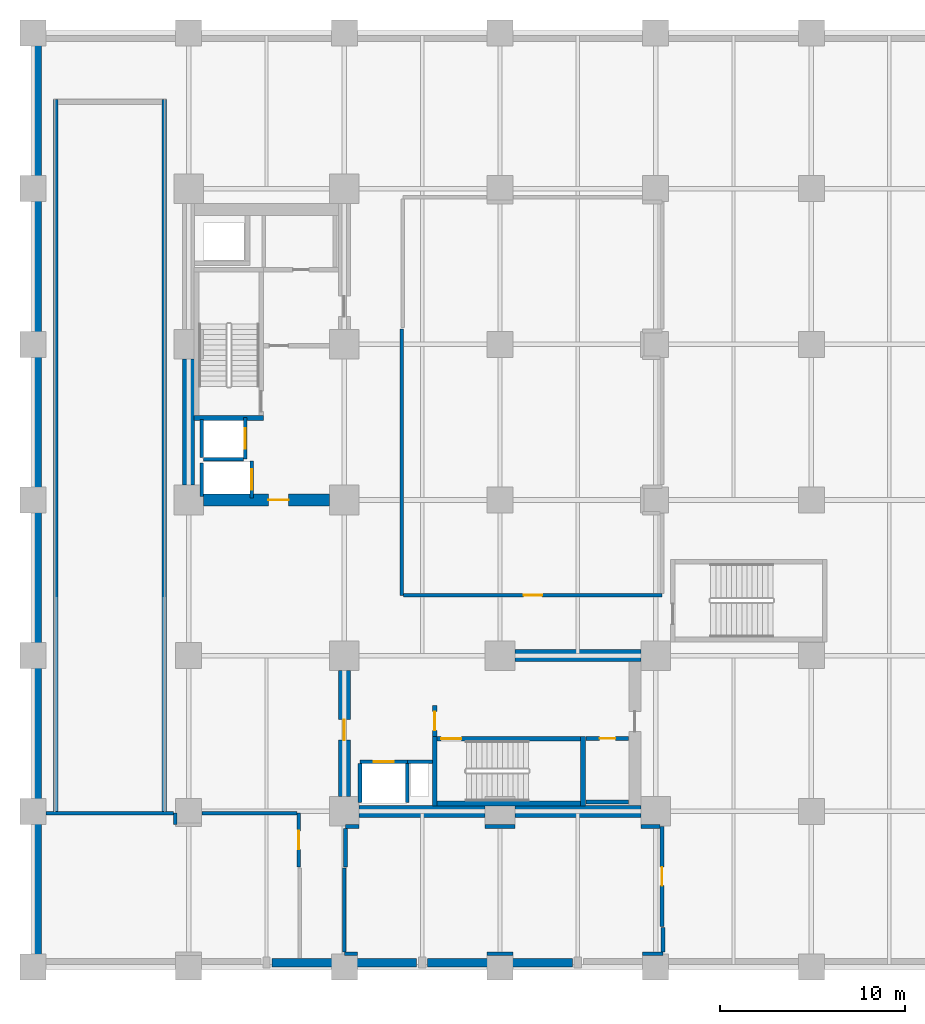
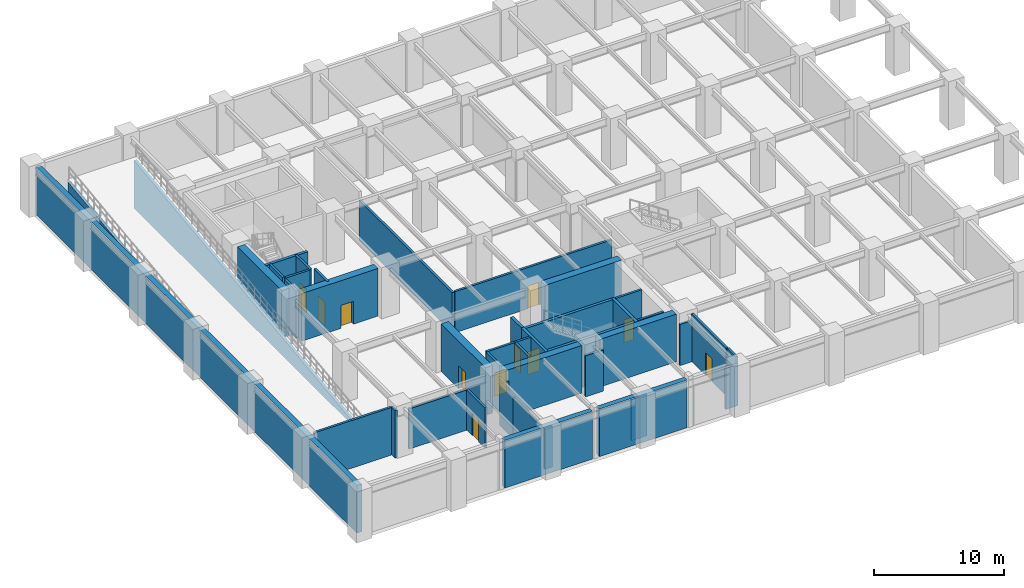
# One storey, part 3 of 7: 44 walls, 11 doors, 11 openings.
"""IFC4 building model written with IfcOpenShell, lengths in metres."""

import ifcopenshell
import ifcopenshell.guid

model = None  # the IFC model being written
_history = None  # IfcOwnerHistory: only IFC2X3 demands one
_inside = {}  # id of a spatial element -> (the spatial element, [elements in it])
_under = {}  # id of a project, library or spatial element -> (it, [spatial elements below it])
_declared = {}  # id of a project -> (the project, [libraries it declares])
_typed = {}  # id of a type object -> (the type object, [elements of that type])
_made_of = {}  # id of a material, layer set ... -> (it, [elements and type objects made of it])


def new_model(schema):
    """Start an empty IFC model of exactly this schema.

    Asked for "IFC4X3", IfcOpenShell would pick the latest addendum, in which some entities
    have other attributes; the version numbers below select the first issue.
    IFC2X3 requires an IfcOwnerHistory on every rooted entity: one is made here for all.
    """
    global model, _history
    if schema == "IFC4X3":
        model = ifcopenshell.file(schema_version=(4, 3, 0, 0))
    else:
        model = ifcopenshell.file(schema=schema)
    _inside.clear()
    _under.clear()
    _declared.clear()
    _typed.clear()
    _made_of.clear()
    _history = None
    if model.schema == "IFC2X3":
        org = make("IfcOrganization", Name="unknown")
        user = make(
            "IfcPersonAndOrganization",
            ThePerson=make("IfcPerson", FamilyName="unknown"),
            TheOrganization=org,
        )
        app = make(
            "IfcApplication",
            ApplicationDeveloper=org,
            Version="unknown",
            ApplicationFullName="unknown",
            ApplicationIdentifier="unknown",
        )
        _history = make(
            "IfcOwnerHistory",
            OwningUser=user,
            OwningApplication=app,
            ChangeAction="ADDED",
            CreationDate=0,
        )
    return model


def make(cls, **values):
    """One entity of the class cls with the attributes given. An attribute that is None is left unset."""
    return model.create_entity(
        cls, **{name: value for name, value in values.items() if value is not None}
    )


def rooted(cls, **values):
    """An entity with a GlobalId (a new one), such as an element, a storey or a relation."""
    return make(cls, GlobalId=ifcopenshell.guid.new(), OwnerHistory=_history, **values)


def si_unit(unit_type, name, prefix=None):
    """IfcSIUnit, for example si_unit("LENGTHUNIT", "METRE", prefix="MILLI")."""
    return make("IfcSIUnit", UnitType=unit_type, Prefix=prefix, Name=name)


def assignment(units):
    """IfcUnitAssignment: the units of a project."""
    return None if units is None else make("IfcUnitAssignment", Units=units)


def point(xyz):
    """IfcCartesianPoint."""
    return None if xyz is None else make("IfcCartesianPoint", Coordinates=xyz)


def direction(xyz):
    """IfcDirection."""
    return None if xyz is None else make("IfcDirection", DirectionRatios=xyz)


def frame(location, z_axis=None, x_axis=None):
    """IfcAxis2Placement3D, a coordinate frame: its origin and axes. An axis left out is left unset."""
    return make(
        "IfcAxis2Placement3D",
        Location=point(location),
        Axis=direction(z_axis),
        RefDirection=direction(x_axis),
    )


def frame_2d(location, x_axis=None):
    """IfcAxis2Placement2D, a coordinate frame in the plane: its origin and x axis."""
    return make(
        "IfcAxis2Placement2D", Location=point(location), RefDirection=direction(x_axis)
    )


def origin():
    """The frame at (0, 0, 0) with its axes left unset."""
    return frame((0.0, 0.0, 0.0))


def place(relative_to, where):
    """IfcLocalPlacement: puts the frame where relative to a parent placement (None: the world)."""
    return make(
        "IfcLocalPlacement", PlacementRelTo=relative_to, RelativePlacement=where
    )


def context(
    kind, dimensions, precision=None, world=None, true_north=None, identifier=None
):
    """IfcGeometricRepresentationContext, for example the 3D "Model" context."""
    return make(
        "IfcGeometricRepresentationContext",
        ContextIdentifier=identifier,
        ContextType=kind,
        CoordinateSpaceDimension=dimensions,
        Precision=precision,
        WorldCoordinateSystem=world,
        TrueNorth=true_north,
    )


def subcontext(parent, identifier, kind, view, scale=None):
    """IfcGeometricRepresentationSubContext, for example "Body" below "Model"."""
    return make(
        "IfcGeometricRepresentationSubContext",
        ContextIdentifier=identifier,
        ContextType=kind,
        ParentContext=parent,
        TargetScale=scale,
        TargetView=view,
    )


def project(units=None, contexts=None):
    """IfcProject with its units and contexts."""
    return rooted(
        "IfcProject",
        Name="project",
        RepresentationContexts=contexts,
        UnitsInContext=assignment(units),
    )


def spatial(cls, under=None, at=None, **own):
    """A site, building, storey or space (cls), placed at a placement, below another one or the project."""
    s = rooted(cls, ObjectPlacement=at, **own)
    if under is not None:
        _under.setdefault(under.id(), (under, []))[1].append(s)
    return s


def polyline(points):
    """IfcPolyline through the points."""
    return make("IfcPolyline", Points=[point(p) for p in points])


def profile(cls, at=None, kind="AREA", **sizes):
    """A parametric profile (cls). Its sizes go by their IFC names, for example OverallWidth=200.0."""
    return make(cls, ProfileType=kind, Position=at, **sizes)


def rectangle(**sizes):
    """IfcRectangleProfileDef."""
    return profile("IfcRectangleProfileDef", **sizes)


def outline(outer, holes=None, kind="AREA"):
    """IfcArbitraryClosedProfileDef: a profile drawn as a closed curve; with holes, ...WithVoids."""
    if holes is None:
        return make("IfcArbitraryClosedProfileDef", ProfileType=kind, OuterCurve=outer)
    return make(
        "IfcArbitraryProfileDefWithVoids",
        ProfileType=kind,
        OuterCurve=outer,
        InnerCurves=holes,
    )


def extrude(swept, where, along, depth):
    """IfcExtrudedAreaSolid: the profile swept, set in the frame where, extruded along a direction by depth."""
    return make(
        "IfcExtrudedAreaSolid",
        SweptArea=swept,
        Position=where,
        ExtrudedDirection=direction(along),
        Depth=depth,
    )


def shape(context_of_items, identifier, shape_type, items):
    """IfcShapeRepresentation: the items that make up one representation, for example the "Body"."""
    return make(
        "IfcShapeRepresentation",
        ContextOfItems=context_of_items,
        RepresentationIdentifier=identifier,
        RepresentationType=shape_type,
        Items=items,
    )


def material(Name=None, Category=None):
    """IfcMaterial."""
    return make("IfcMaterial", Name=Name, Category=Category)


def layer(
    of_material, thickness, ventilated=None, Name=None, Category=None, Priority=None
):
    """IfcMaterialLayer: one layer of a wall or slab, of a material (None: an air gap)."""
    return make(
        "IfcMaterialLayer",
        Material=of_material,
        LayerThickness=thickness,
        IsVentilated=ventilated,
        Name=Name,
        Category=Category,
        Priority=Priority,
    )


def layer_set(layers, Name=None):
    """IfcMaterialLayerSet."""
    return make("IfcMaterialLayerSet", MaterialLayers=layers, LayerSetName=Name)


def made_of(thing, what):
    """Note that an element or type object is made of a material, layer set ...; save() writes the relation."""
    if what is not None:
        _made_of.setdefault(what.id(), (what, []))[1].append(thing)
    return thing


def type_object(cls, material=None, **own):
    """A type object (cls), such as IfcWallType, which elements share."""
    return made_of(rooted(cls, **own), material)


def element(
    cls,
    number,
    at=None,
    inside=None,
    cuts=None,
    type_object=None,
    material=None,
    context=None,
    identifier="Body",
    shape_type=None,
    held_by="IfcProductDefinitionShape",
    body=None,
    shapes=None,
    **own,
):
    """One element of the class cls, such as IfcWall. Its Tag is "e" and its number.

    at: its placement. inside: the storey or other place that contains it. cuts: it is an
    opening in that element (IfcRelVoidsElement). A single representation is given by context,
    identifier, shape_type and body (its items); several are given by shapes. held_by: the class
    of the entity that holds the representations. save() writes the other relations.
    """
    e = rooted(cls, Tag="e%d" % number, ObjectPlacement=at, **own)
    if body is not None:
        shapes = [shape(context, identifier, shape_type, body)]
    if shapes is not None:
        e.Representation = make(held_by, Representations=shapes)
    if inside is not None:
        _inside.setdefault(inside.id(), (inside, []))[1].append(e)
    if cuts is not None:
        rooted(
            "IfcRelVoidsElement", RelatingBuildingElement=cuts, RelatedOpeningElement=e
        )
    if type_object is not None:
        _typed.setdefault(type_object.id(), (type_object, []))[1].append(e)
    return made_of(e, material)


def fill(opening, filler):
    """IfcRelFillsElement: the door or window that sits in an opening."""
    return rooted(
        "IfcRelFillsElement",
        RelatingOpeningElement=opening,
        RelatedBuildingElement=filler,
    )


def aggregate(whole, parts):
    """IfcRelAggregates: a whole, such as a stair, and the parts it consists of."""
    return rooted("IfcRelAggregates", RelatingObject=whole, RelatedObjects=parts)


def save(model, path):
    """Write the relations noted so far, then the file.

    IfcRelAggregates (storeys below a building ...), IfcRelContainedInSpatialStructure (elements
    in a storey), IfcRelDefinesByType, IfcRelAssociatesMaterial and IfcRelDeclares: one each for
    every whole, place, type object, material and project.
    """
    for whole, parts in _under.values():
        aggregate(whole, parts)
    for where, things in _inside.values():
        rooted(
            "IfcRelContainedInSpatialStructure",
            RelatedElements=things,
            RelatingStructure=where,
        )
    for kind, things in _typed.values():
        rooted("IfcRelDefinesByType", RelatedObjects=things, RelatingType=kind)
    for what, things in _made_of.values():
        rooted("IfcRelAssociatesMaterial", RelatedObjects=things, RelatingMaterial=what)
    for by, libraries in _declared.values():
        rooted("IfcRelDeclares", RelatingContext=by, RelatedDefinitions=libraries)
    model.write(path)


model = new_model("IFC4")

# Units and contexts
model_context = context("Model", 3, precision=1e-05, world=origin(), true_north=direction((0.0, 1.0)))
body_context = subcontext(model_context, "Body", "Model", "MODEL_VIEW")
ifc_project = project(units=[si_unit("LENGTHUNIT", "METRE"), si_unit("AREAUNIT", "SQUARE_METRE"), si_unit("VOLUMEUNIT", "CUBIC_METRE"), si_unit("PLANEANGLEUNIT", "RADIAN"), si_unit("MASSUNIT", "GRAM", prefix="KILO")], contexts=[model_context])

# Site, building, storey
site_placement = place(None, origin())
site = spatial("IfcSite", under=ifc_project, at=site_placement, CompositionType="ELEMENT")
building_placement = place(site_placement, origin())
building = spatial("IfcBuilding", under=site, at=building_placement, Name="Nerrivon Quay Data Exchange", CompositionType="ELEMENT")
storey_placement = place(building_placement, frame((0.0, 0.0, -4.800048828125)))
storey = spatial("IfcBuildingStorey", under=building, at=storey_placement, Name="B01", CompositionType="ELEMENT", Elevation=-4.800048828125)

# Wall
ifc_material_1 = material(Name="Concrete N80 (80 MPa)", Category="concrete")
ifc_layer_1 = layer(ifc_material_1, 0.64990234375)
ifc_layer_set_1 = layer_set([ifc_layer_1], Name="Concrete N80 (80 MPa)")
wall_type_1 = type_object("IfcWallType", Name="WALL-CW-850", PredefinedType="SHEAR", material=ifc_layer_set_1)
wall_1_placement = place(storey_placement, frame((8.39990234375, 26.0, 0.0), z_axis=(0.0, 0.0, 1.0), x_axis=(0.0, 1.0, 0.0)))
element("IfcWall", 1, at=wall_1_placement, inside=storey, type_object=wall_type_1, Name="B01 West Split-Core Shear Wall WCW-W1", PredefinedType="SHEAR", context=body_context, shape_type="SweptSolid", body=[
    extrude(rectangle(XDim=6.800048828125, YDim=0.64990234375, at=frame_2d((3.39990234375, 0.0))), origin(), (0.0, 0.0, 1.0), 4.47998046875),
])

# Wall, opening, door
wall_2_placement = place(storey_placement, frame((9.199951171875, 25.199951171875, 0.0), z_axis=(0.0, 0.0, 1.0), x_axis=(1.0, 0.0, 0.0)))
wall_2 = element("IfcWall", 2, at=wall_2_placement, inside=storey, type_object=wall_type_1, Name="B01 West Split-Core Shear Wall WCW-S1", PredefinedType="SHEAR", context=body_context, shape_type="SweptSolid", body=[
    extrude(rectangle(XDim=6.800048828125, YDim=0.64990234375, at=frame_2d((3.39990234375, 0.0))), origin(), (0.0, 0.0, 1.0), 4.47998046875),
])
opening_1_placement = place(wall_2_placement, frame((3.5, 0.0, 0.0)))
opening_1 = element("IfcOpeningElement", 3, at=opening_1_placement, cuts=wall_2, Name="Opening FD-120", PredefinedType="OPENING", context=body_context, shape_type="SweptSolid", body=[
    extrude(rectangle(XDim=1.10009765625, YDim=2.14990234375, at=frame_2d((0.550048828125, 1.074951171875))), frame((0.0, 0.3349609375, 0.0), z_axis=(0.0, -1.0, 0.0), x_axis=(1.0, 0.0, 0.0)), (0.0, 0.0, 1.0), 0.669921875),
])
ifc_material_2 = material(Name="Powder-coated galvanized steel sheet", Category="steel")
door_type_1 = type_object("IfcDoorType", Name="DR-FD120-1100", OperationType="NOTDEFINED", PredefinedType="DOOR", material=ifc_material_2)
door_1_placement = place(opening_1_placement, origin())
door_1 = element("IfcDoor", 4, at=door_1_placement, inside=storey, type_object=door_type_1, Name="B01 West Core Lobby Fire Door", OperationType="SINGLE_SWING_RIGHT", OverallHeight=2.14990234375, OverallWidth=1.10009765625, PredefinedType="DOOR", context=body_context, shape_type="SweptSolid", body=[
    extrude(rectangle(XDim=1.10009765625, YDim=2.14990234375, at=frame_2d((0.550048828125, 1.074951171875))), frame((0.0, 0.02490234375, 0.0), z_axis=(0.0, -1.0, 0.0), x_axis=(1.0, 0.0, 0.0)), (0.0, 0.0, 1.0), 0.050048828125),
])
fill(opening_1, door_1)

# Walls
wall_3_placement = place(storey_placement, frame((17.60009765625, 8.39990234375, 0.0), z_axis=(0.0, 0.0, 1.0), x_axis=(1.0, 0.0, 0.0)))
element("IfcWall", 5, at=wall_3_placement, inside=storey, type_object=wall_type_1, Name="B01 East Split-Core Shear Wall ECW-S1", PredefinedType="SHEAR", context=body_context, shape_type="SweptSolid", body=[
    extrude(rectangle(XDim=6.7998046875, YDim=0.64990234375, at=frame_2d((3.39990234375, 0.0))), origin(), (0.0, 0.0, 1.0), 4.47998046875),
])
wall_4_placement = place(storey_placement, frame((26.0, 8.39990234375, 0.0), z_axis=(0.0, 0.0, 1.0), x_axis=(1.0, 0.0, 0.0)))
element("IfcWall", 6, at=wall_4_placement, inside=storey, type_object=wall_type_1, Name="B01 East Split-Core Shear Wall ECW-S2", PredefinedType="SHEAR", context=body_context, shape_type="SweptSolid", body=[
    extrude(rectangle(XDim=6.800048828125, YDim=0.64990234375, at=frame_2d((3.39990234375, 0.0))), origin(), (0.0, 0.0, 1.0), 4.47998046875),
])

# Wall, opening, door
wall_5_placement = place(storey_placement, frame((16.800048828125, 9.199951171875, 0.0), z_axis=(0.0, 0.0, 1.0), x_axis=(0.0, 1.0, 0.0)))
wall_5 = element("IfcWall", 7, at=wall_5_placement, inside=storey, type_object=wall_type_1, Name="B01 East Split-Core Shear Wall ECW-W1", PredefinedType="SHEAR", context=body_context, shape_type="SweptSolid", body=[
    extrude(rectangle(XDim=6.800048828125, YDim=0.64990234375, at=frame_2d((3.39990234375, 0.0))), origin(), (0.0, 0.0, 1.0), 4.47998046875),
])
opening_2_placement = place(wall_5_placement, frame((3.050048828125, 0.0, 0.0)))
opening_2 = element("IfcOpeningElement", 8, at=opening_2_placement, cuts=wall_5, Name="Opening FD-120", PredefinedType="OPENING", context=body_context, shape_type="SweptSolid", body=[
    extrude(rectangle(XDim=1.10009765625, YDim=2.14990234375, at=frame_2d((0.550048828125, 1.074951171875))), frame((0.0, 0.3349609375, 0.0), z_axis=(0.0, -1.0, 0.0), x_axis=(1.0, 0.0, 0.0)), (0.0, 0.0, 1.0), 0.669921875),
])
door_2_placement = place(opening_2_placement, origin())
door_2 = element("IfcDoor", 9, at=door_2_placement, inside=storey, type_object=door_type_1, Name="B01 East Core Lobby Fire Door", OperationType="SINGLE_SWING_RIGHT", OverallHeight=2.14990234375, OverallWidth=1.10009765625, PredefinedType="DOOR", context=body_context, shape_type="SweptSolid", body=[
    extrude(rectangle(XDim=1.10009765625, YDim=2.14990234375, at=frame_2d((0.550048828125, 1.074951171875))), frame((0.0, 0.02490234375, 0.0), z_axis=(0.0, -1.0, 0.0), x_axis=(1.0, 0.0, 0.0)), (0.0, 0.0, 1.0), 0.050048828125),
])
fill(opening_2, door_2)

# Walls
wall_6_placement = place(storey_placement, frame((26.0, 16.800048828125, 0.0), z_axis=(0.0, 0.0, 1.0), x_axis=(1.0, 0.0, 0.0)))
element("IfcWall", 10, at=wall_6_placement, inside=storey, type_object=wall_type_1, Name="B01 East Split-Core Shear Wall ECW-N1", PredefinedType="SHEAR", context=body_context, shape_type="SweptSolid", body=[
    extrude(rectangle(XDim=6.800048828125, YDim=0.64990234375, at=frame_2d((3.39990234375, 0.0))), origin(), (0.0, 0.0, 1.0), 4.47998046875),
])
ifc_material_3 = material(Name="Gypsum plasterboard on cold-formed framing", Category="gypsum")
ifc_layer_2 = layer(ifc_material_3, 0.199951171875)
ifc_layer_set_2 = layer_set([ifc_layer_2], Name="Gypsum plasterboard on cold-formed framing")
wall_type_2 = type_object("IfcWallType", Name="WALL-FW-200", PredefinedType="PARTITIONING", material=ifc_layer_set_2)
wall_7_placement = place(storey_placement, frame((20.199951171875, 11.080078125, 0.0), z_axis=(0.0, 0.0, 1.0), x_axis=(1.0, 0.0, 0.0)))
element("IfcWall", 11, at=wall_7_placement, inside=storey, type_object=wall_type_2, Name="B01 East Core MEP Riser Shaft Wall N", PredefinedType="PARTITIONING", context=body_context, shape_type="SweptSolid", body=[
    extrude(rectangle(XDim=1.35009765625, YDim=0.199951171875, at=frame_2d((0.675048828125, 0.0))), origin(), (0.0, 0.0, 1.0), 4.47998046875),
])

# Wall, opening, door
wall_8_placement = place(storey_placement, frame((11.449951171875, 27.39990234375, 0.0), z_axis=(0.0, 0.0, 1.0), x_axis=(0.0, 1.0, 0.0)))
wall_8 = element("IfcWall", 12, at=wall_8_placement, inside=storey, type_object=wall_type_2, Name="B01 Lift Front Wall FFL-1", PredefinedType="PARTITIONING", context=body_context, shape_type="SweptSolid", body=[
    extrude(rectangle(XDim=2.25, YDim=0.199951171875, at=frame_2d((1.125, 0.0))), origin(), (0.0, 0.0, 1.0), 4.47998046875),
])
opening_3_placement = place(wall_8_placement, frame((0.574951171875, 0.0, 0.0)))
opening_3 = element("IfcOpeningElement", 13, at=opening_3_placement, cuts=wall_8, Name="Opening LD-120", PredefinedType="OPENING", context=body_context, shape_type="SweptSolid", body=[
    extrude(rectangle(XDim=1.10009765625, YDim=2.199951171875, at=frame_2d((0.550048828125, 1.10009765625))), frame((0.0, 0.10986328125, 0.0), z_axis=(0.0, -1.0, 0.0), x_axis=(1.0, 0.0, 0.0)), (0.0, 0.0, 1.0), 0.219970703125),
])
door_type_2 = type_object("IfcDoorType", Name="DR-LIFT-LD120", OperationType="DOUBLE_DOOR_SLIDING", PredefinedType="DOOR", material=ifc_material_2)
door_3_placement = place(opening_3_placement, origin())
door_3 = element("IfcDoor", 14, at=door_3_placement, inside=storey, type_object=door_type_2, Name="B01 Lift Landing Sliding Door FFL-1", OperationType="DOUBLE_DOOR_SLIDING", OverallHeight=2.199951171875, OverallWidth=1.10009765625, PredefinedType="DOOR", context=body_context, shape_type="SweptSolid", body=[
    extrude(rectangle(XDim=1.10009765625, YDim=2.199951171875, at=frame_2d((0.550048828125, 1.10009765625))), frame((0.0, 0.02490234375, 0.0), z_axis=(0.0, -1.0, 0.0), x_axis=(1.0, 0.0, 0.0)), (0.0, 0.0, 1.0), 0.050048828125),
])
fill(opening_3, door_3)

# Walls
wall_9_placement = place(storey_placement, frame((9.10009765625, 27.5, 0.0), z_axis=(0.0, 0.0, 1.0), x_axis=(0.0, 1.0, 0.0)))
element("IfcWall", 15, at=wall_9_placement, inside=storey, type_object=wall_type_2, Name="B01 Lift Shaft Wall FFL-1 WEST", PredefinedType="PARTITIONING", context=body_context, shape_type="SweptSolid", body=[
    extrude(rectangle(XDim=2.050048828125, YDim=0.199951171875, at=frame_2d((1.02490234375, 0.0))), origin(), (0.0, 0.0, 1.0), 4.47998046875),
])
wall_10_placement = place(storey_placement, frame((9.199951171875, 27.39990234375, 0.0), z_axis=(0.0, 0.0, 1.0), x_axis=(1.0, 0.0, 0.0)))
element("IfcWall", 16, at=wall_10_placement, inside=storey, type_object=wall_type_2, Name="B01 Lift Shaft Wall FFL-1 SOUTH", PredefinedType="PARTITIONING", context=body_context, shape_type="SweptSolid", body=[
    extrude(rectangle(XDim=2.150146484375, YDim=0.199951171875, at=frame_2d((1.0751953125, 0.0))), origin(), (0.0, 0.0, 1.0), 4.47998046875),
])

# Wall, opening, door
wall_11_placement = place(storey_placement, frame((11.800048828125, 25.300048828125, 0.0), z_axis=(0.0, 0.0, 1.0), x_axis=(0.0, 1.0, 0.0)))
wall_11 = element("IfcWall", 17, at=wall_11_placement, inside=storey, type_object=wall_type_2, Name="B01 Lift Front Wall SVL-1", PredefinedType="PARTITIONING", context=body_context, shape_type="SweptSolid", body=[
    extrude(rectangle(XDim=2.0, YDim=0.199951171875, at=frame_2d((1.0, 0.0))), origin(), (0.0, 0.0, 1.0), 4.47998046875),
])
opening_4_placement = place(wall_11_placement, frame((0.449951171875, 0.0, 0.0)))
opening_4 = element("IfcOpeningElement", 18, at=opening_4_placement, cuts=wall_11, Name="Opening LD-120", PredefinedType="OPENING", context=body_context, shape_type="SweptSolid", body=[
    extrude(rectangle(XDim=1.10009765625, YDim=2.199951171875, at=frame_2d((0.550048828125, 1.10009765625))), frame((0.0, 0.10986328125, 0.0), z_axis=(0.0, -1.0, 0.0), x_axis=(1.0, 0.0, 0.0)), (0.0, 0.0, 1.0), 0.219970703125),
])
door_4_placement = place(opening_4_placement, origin())
door_4 = element("IfcDoor", 19, at=door_4_placement, inside=storey, type_object=door_type_2, Name="B01 Lift Landing Sliding Door SVL-1", OperationType="DOUBLE_DOOR_SLIDING", OverallHeight=2.199951171875, OverallWidth=1.10009765625, PredefinedType="DOOR", context=body_context, shape_type="SweptSolid", body=[
    extrude(rectangle(XDim=1.10009765625, YDim=2.199951171875, at=frame_2d((0.550048828125, 1.10009765625))), frame((0.0, 0.02490234375, 0.0), z_axis=(0.0, -1.0, 0.0), x_axis=(1.0, 0.0, 0.0)), (0.0, 0.0, 1.0), 0.050048828125),
])
fill(opening_4, door_4)

# Wall
wall_12_placement = place(storey_placement, frame((9.10009765625, 25.39990234375, 0.0), z_axis=(0.0, 0.0, 1.0), x_axis=(0.0, 1.0, 0.0)))
element("IfcWall", 20, at=wall_12_placement, inside=storey, type_object=wall_type_2, Name="B01 Lift Shaft Wall SVL-1 WEST", PredefinedType="PARTITIONING", context=body_context, shape_type="SweptSolid", body=[
    extrude(rectangle(XDim=1.800048828125, YDim=0.199951171875, at=frame_2d((0.89990234375, 0.0))), origin(), (0.0, 0.0, 1.0), 4.47998046875),
])

# Wall, opening, door
wall_13_placement = place(storey_placement, frame((17.64990234375, 11.080078125, 0.0), z_axis=(0.0, 0.0, 1.0), x_axis=(1.0, 0.0, 0.0)))
wall_13 = element("IfcWall", 21, at=wall_13_placement, inside=storey, type_object=wall_type_2, Name="B01 Lift Front Wall FFL-2", PredefinedType="PARTITIONING", context=body_context, shape_type="SweptSolid", body=[
    extrude(rectangle(XDim=2.550048828125, YDim=0.199951171875, at=frame_2d((1.27490234375, 0.0))), origin(), (0.0, 0.0, 1.0), 4.47998046875),
])
opening_5_placement = place(wall_13_placement, frame((0.72509765625, 0.0, 0.0)))
opening_5 = element("IfcOpeningElement", 22, at=opening_5_placement, cuts=wall_13, Name="Opening LD-120", PredefinedType="OPENING", context=body_context, shape_type="SweptSolid", body=[
    extrude(rectangle(XDim=1.10009765625, YDim=2.199951171875, at=frame_2d((0.550048828125, 1.10009765625))), frame((0.0, 0.10986328125, 0.0), z_axis=(0.0, -1.0, 0.0), x_axis=(1.0, 0.0, 0.0)), (0.0, 0.0, 1.0), 0.219970703125),
])
door_5_placement = place(opening_5_placement, origin())
door_5 = element("IfcDoor", 23, at=door_5_placement, inside=storey, type_object=door_type_2, Name="B01 Lift Landing Sliding Door FFL-2", OperationType="DOUBLE_DOOR_SLIDING", OverallHeight=2.199951171875, OverallWidth=1.10009765625, PredefinedType="DOOR", context=body_context, shape_type="SweptSolid", body=[
    extrude(rectangle(XDim=1.10009765625, YDim=2.199951171875, at=frame_2d((0.550048828125, 1.10009765625))), frame((0.0, 0.02490234375, 0.0), z_axis=(0.0, -1.0, 0.0), x_axis=(1.0, 0.0, 0.0)), (0.0, 0.0, 1.0), 0.050048828125),
])
fill(opening_5, door_5)

# Walls
for number, where, z_axis, x_axis, name in (
    (24, (20.199951171875, 8.8798828125, 0.0), (0.0, 0.0, 1.0), (0.0, 1.0, 0.0), "B01 Lift Shaft Wall FFL-2 EAST"),
    (25, (17.64990234375, 8.8798828125, 0.0), (0.0, 0.0, 1.0), (0.0, 1.0, 0.0), "B01 Lift Shaft Wall FFL-2 WEST"),
):
    element("IfcWall", number, at=place(storey_placement, frame(where, z_axis=z_axis, x_axis=x_axis)), inside=storey, type_object=wall_type_2, Name=name, PredefinedType="PARTITIONING", context=body_context, shape_type="SweptSolid", body=[
        extrude(rectangle(XDim=2.10009765625, YDim=0.199951171875, at=frame_2d((1.050048828125, 0.0))), origin(), (0.0, 0.0, 1.0), 4.47998046875),
    ])

# Wall, opening, door
wall_14_placement = place(storey_placement, frame((32.14599609375, 12.330078125, 0.0), z_axis=(0.0, 0.0, 1.0), x_axis=(-1.0, 0.0, 0.0)))
wall_14 = element("IfcWall", 26, at=wall_14_placement, inside=storey, type_object=wall_type_2, Name="B01 Partition East Telecom Closet", PredefinedType="PARTITIONING", context=body_context, shape_type="SweptSolid", body=[
    extrude(rectangle(XDim=2.2958984375, YDim=0.199951171875, at=frame_2d((1.14794921875, 0.0))), origin(), (0.0, 0.0, 1.0), 4.47998046875),
])
opening_6_placement = place(wall_14_placement, frame((0.722900390625, 0.0, 0.0)))
opening_6 = element("IfcOpeningElement", 27, at=opening_6_placement, cuts=wall_14, Name="Opening FD-60S", PredefinedType="OPENING", context=body_context, shape_type="SweptSolid", body=[
    extrude(rectangle(XDim=0.85009765625, YDim=2.14990234375, at=frame_2d((0.425048828125, 1.074951171875))), frame((0.0, 0.10986328125, 0.0), z_axis=(0.0, -1.0, 0.0), x_axis=(1.0, 0.0, 0.0)), (0.0, 0.0, 1.0), 0.219970703125),
])
ifc_material_4 = material(Name="Engineered hardwood timber", Category="wood")
door_type_3 = type_object("IfcDoorType", Name="DR-FD60-850", OperationType="NOTDEFINED", PredefinedType="DOOR", material=ifc_material_4)
door_6_placement = place(opening_6_placement, origin())
door_6 = element("IfcDoor", 28, at=door_6_placement, inside=storey, type_object=door_type_3, Name="B01 Door East Telecom Closet", OperationType="SINGLE_SWING_LEFT", OverallHeight=2.14990234375, OverallWidth=0.85009765625, PredefinedType="DOOR", context=body_context, shape_type="SweptSolid", body=[
    extrude(rectangle(XDim=0.85009765625, YDim=2.14990234375, at=frame_2d((0.425048828125, 1.074951171875))), frame((0.0, 0.02490234375, 0.0), z_axis=(0.0, -1.0, 0.0), x_axis=(1.0, 0.0, 0.0)), (0.0, 0.0, 1.0), 0.050048828125),
])
fill(opening_6, door_6)

# Walls
wall_15_placement = place(storey_placement, frame((29.85009765625, 8.89990234375, 0.0), z_axis=(0.0, 0.0, 1.0), x_axis=(1.0, 0.0, 0.0)))
element("IfcWall", 29, at=wall_15_placement, inside=storey, type_object=wall_type_2, Name="B01 Partition East Telecom Closet", PredefinedType="PARTITIONING", context=body_context, shape_type="SweptSolid", body=[
    extrude(rectangle(XDim=2.2958984375, YDim=0.199951171875, at=frame_2d((1.14794921875, 0.0))), origin(), (0.0, 0.0, 1.0), 4.47998046875),
])
wall_16_placement = place(storey_placement, frame((19.89990234375, 34.43994140625, 0.0), z_axis=(0.0, 0.0, 1.0), x_axis=(0.0, -1.0, 0.0)))
element("IfcWall", 30, at=wall_16_placement, inside=storey, type_object=wall_type_2, Name="B01 Partition Heavy Rigid Vehicle Loading Dock", PredefinedType="PARTITIONING", context=body_context, shape_type="SweptSolid", body=[
    extrude(rectangle(XDim=14.3798828125, YDim=0.199951171875, at=frame_2d((7.18994140625, 0.0))), origin(), (0.0, 0.0, 1.0), 3.780029296875),
])

# Wall, opening, door
wall_17_placement = place(storey_placement, frame((20.00390625, 20.06005859375, 0.0), z_axis=(0.0, 0.0, 1.0), x_axis=(1.0, 0.0, 0.0)))
wall_17 = element("IfcWall", 31, at=wall_17_placement, inside=storey, type_object=wall_type_2, Name="B01 Partition Heavy Rigid Vehicle Loading Dock", PredefinedType="PARTITIONING", context=body_context, shape_type="SweptSolid", body=[
    extrude(rectangle(XDim=13.93603515625, YDim=0.199951171875, at=frame_2d((6.968017578125, 0.0))), origin(), (0.0, 0.0, 1.0), 3.8681640625),
])
opening_7_placement = place(wall_17_placement, frame((6.468017578125, 0.0, 0.0)))
opening_7 = element("IfcOpeningElement", 32, at=opening_7_placement, cuts=wall_17, Name="Opening FD-60", PredefinedType="OPENING", context=body_context, shape_type="SweptSolid", body=[
    extrude(rectangle(XDim=1.0, YDim=2.14990234375, at=frame_2d((0.5, 1.074951171875))), frame((0.0, 0.10986328125, 0.0), z_axis=(0.0, -1.0, 0.0), x_axis=(1.0, 0.0, 0.0)), (0.0, 0.0, 1.0), 0.219970703125),
])
door_type_4 = type_object("IfcDoorType", Name="DR-FD60-1000", OperationType="NOTDEFINED", PredefinedType="DOOR", material=ifc_material_4)
door_7_placement = place(opening_7_placement, origin())
door_7 = element("IfcDoor", 33, at=door_7_placement, inside=storey, type_object=door_type_4, Name="B01 Door Heavy Rigid Vehicle Loading Dock", OperationType="SINGLE_SWING_RIGHT", OverallHeight=2.14990234375, OverallWidth=1.0, PredefinedType="DOOR", context=body_context, shape_type="SweptSolid", body=[
    extrude(rectangle(XDim=1.0, YDim=2.14990234375, at=frame_2d((0.5, 1.074951171875))), frame((0.0, 0.02490234375, 0.0), z_axis=(0.0, -1.0, 0.0), x_axis=(1.0, 0.0, 0.0)), (0.0, 0.0, 1.0), 0.050048828125),
])
fill(opening_7, door_7)

wall_18_placement = place(storey_placement, frame((14.340087890625, 5.39990234375, 0.0), z_axis=(0.0, 0.0, 1.0), x_axis=(0.0, 1.0, 0.0)))
wall_18 = element("IfcWall", 34, at=wall_18_placement, inside=storey, type_object=wall_type_2, Name="B01 Partition UPS & Battery Plant Room", PredefinedType="PARTITIONING", context=body_context, shape_type="SweptSolid", body=[
    extrude(rectangle(XDim=2.900146484375, YDim=0.199951171875, at=frame_2d((1.4501953125, 0.0))), origin(), (0.0, 0.0, 1.0), 3.780029296875),
])
opening_8_placement = place(wall_18_placement, frame((0.949951171875, 0.0, 0.0)))
opening_8 = element("IfcOpeningElement", 35, at=opening_8_placement, cuts=wall_18, Name="Opening FD-60", PredefinedType="OPENING", context=body_context, shape_type="SweptSolid", body=[
    extrude(rectangle(XDim=1.0, YDim=2.14990234375, at=frame_2d((0.5, 1.074951171875))), frame((0.0, 0.10986328125, 0.0), z_axis=(0.0, -1.0, 0.0), x_axis=(1.0, 0.0, 0.0)), (0.0, 0.0, 1.0), 0.219970703125),
])
door_8_placement = place(opening_8_placement, origin())
door_8 = element("IfcDoor", 36, at=door_8_placement, inside=storey, type_object=door_type_4, Name="B01 Door UPS & Battery Plant Room", OperationType="SINGLE_SWING_LEFT", OverallHeight=2.14990234375, OverallWidth=1.0, PredefinedType="DOOR", context=body_context, shape_type="SweptSolid", body=[
    extrude(rectangle(XDim=1.0, YDim=2.14990234375, at=frame_2d((0.5, 1.074951171875))), frame((0.0, 0.02490234375, 0.0), z_axis=(0.0, -1.0, 0.0), x_axis=(1.0, 0.0, 0.0)), (0.0, 0.0, 1.0), 0.050048828125),
])
fill(opening_8, door_8)

# Walls
wall_19_placement = place(storey_placement, frame((14.236083984375, 8.300048828125, 0.0), z_axis=(0.0, 0.0, 1.0), x_axis=(-1.0, 0.0, 0.0)))
element("IfcWall", 37, at=wall_19_placement, inside=storey, type_object=wall_type_2, Name="B01 Partition UPS & Battery Plant Room", PredefinedType="PARTITIONING", context=body_context, shape_type="SweptSolid", body=[
    extrude(rectangle(XDim=5.115966796875, YDim=0.199951171875, at=frame_2d((2.55810546875, 0.0))), origin(), (0.0, 0.0, 1.0), 3.780029296875),
])
wall_20_placement = place(storey_placement, frame((7.679931640625, 7.699951171875, 0.0), z_axis=(0.0, 0.0, 1.0), x_axis=(0.0, 1.0, 0.0)))
element("IfcWall", 38, at=wall_20_placement, inside=storey, type_object=wall_type_2, Name="B01 Partition UPS & Battery Plant Room", PredefinedType="PARTITIONING", context=body_context, shape_type="SweptSolid", body=[
    extrude(rectangle(XDim=0.60009765625, YDim=0.199951171875, at=frame_2d((0.300048828125, 0.0))), origin(), (0.0, 0.0, 1.0), 4.47998046875),
])
wall_21_placement = place(storey_placement, frame((7.575927734375, 8.300048828125, 0.0), z_axis=(0.0, 0.0, 1.0), x_axis=(-1.0, 0.0, 0.0)))
element("IfcWall", 39, at=wall_21_placement, inside=storey, type_object=wall_type_2, Name="B01 Partition UPS & Battery Plant Room", PredefinedType="PARTITIONING", context=body_context, shape_type="SweptSolid", body=[
    extrude(rectangle(XDim=6.870849609375, YDim=0.199951171875, at=frame_2d((3.435546875, 0.0))), origin(), (0.0, 0.0, 1.0), 4.47998046875),
])
wall_22_placement = place(storey_placement, frame((16.800048828125, 0.719970703125, 0.0), z_axis=(0.0, 0.0, 1.0), x_axis=(1.0, 0.0, 0.0)))
element("IfcWall", 40, at=wall_22_placement, inside=storey, type_object=wall_type_2, Name="B01 Partition Staging & Equipment Store", PredefinedType="PARTITIONING", context=body_context, shape_type="SweptSolid", body=[
    extrude(rectangle(XDim=0.699951171875, YDim=0.199951171875, at=frame_2d((0.35009765625, 0.0))), origin(), (0.0, 0.0, 1.0), 3.8681640625),
])
wall_23_placement = place(storey_placement, frame((24.5, 0.719970703125, 0.0), z_axis=(0.0, 0.0, 1.0), x_axis=(1.0, 0.0, 0.0)))
element("IfcWall", 41, at=wall_23_placement, inside=storey, type_object=wall_type_2, Name="B01 Partition Staging & Equipment Store", PredefinedType="PARTITIONING", context=body_context, shape_type="SweptSolid", body=[
    extrude(rectangle(XDim=1.39990234375, YDim=0.199951171875, at=frame_2d((0.699951171875, 0.0))), origin(), (0.0, 0.0, 1.0), 3.8681640625),
])
wall_24_placement = place(storey_placement, frame((32.89990234375, 0.719970703125, 0.0), z_axis=(0.0, 0.0, 1.0), x_axis=(1.0, 0.0, 0.0)))
element("IfcWall", 42, at=wall_24_placement, inside=storey, type_object=wall_type_2, Name="B01 Partition Staging & Equipment Store", PredefinedType="PARTITIONING", context=body_context, shape_type="SweptSolid", body=[
    extrude(rectangle(XDim=1.10009765625, YDim=0.199951171875, at=frame_2d((0.550048828125, 0.0))), origin(), (0.0, 0.0, 1.0), 3.8681640625),
])
wall_25_placement = place(storey_placement, frame((34.0, 0.823974609375, 0.0), z_axis=(0.0, 0.0, 1.0), x_axis=(0.0, 1.0, 0.0)))
element("IfcWall", 43, at=wall_25_placement, inside=storey, type_object=wall_type_2, Name="B01 Partition Staging & Equipment Store", PredefinedType="PARTITIONING", context=body_context, shape_type="SweptSolid", body=[
    extrude(rectangle(XDim=1.31591796875, YDim=0.199951171875, at=frame_2d((0.657958984375, 0.0))), origin(), (0.0, 0.0, 1.0), 4.47998046875),
])

# Wall, opening, door
wall_26_placement = place(storey_placement, frame((33.93994140625, 2.199951171875, 0.0), z_axis=(0.0, 0.0, 1.0), x_axis=(0.0, 1.0, 0.0)))
wall_26 = element("IfcWall", 44, at=wall_26_placement, inside=storey, type_object=wall_type_2, Name="B01 Partition Staging & Equipment Store", PredefinedType="PARTITIONING", context=body_context, shape_type="SweptSolid", body=[
    extrude(rectangle(XDim=5.380126953125, YDim=0.199951171875, at=frame_2d((2.68994140625, 0.0))), origin(), (0.0, 0.0, 1.0), 4.47998046875),
])
opening_9_placement = place(wall_26_placement, frame((2.18994140625, 0.0, 0.0)))
opening_9 = element("IfcOpeningElement", 45, at=opening_9_placement, cuts=wall_26, Name="Opening FD-60", PredefinedType="OPENING", context=body_context, shape_type="SweptSolid", body=[
    extrude(rectangle(XDim=1.0, YDim=2.14990234375, at=frame_2d((0.5, 1.074951171875))), frame((0.0, 0.10986328125, 0.0), z_axis=(0.0, -1.0, 0.0), x_axis=(1.0, 0.0, 0.0)), (0.0, 0.0, 1.0), 0.219970703125),
])
door_9_placement = place(opening_9_placement, origin())
door_9 = element("IfcDoor", 46, at=door_9_placement, inside=storey, type_object=door_type_4, Name="B01 Door Staging & Equipment Store", OperationType="SINGLE_SWING_RIGHT", OverallHeight=2.14990234375, OverallWidth=1.0, PredefinedType="DOOR", context=body_context, shape_type="SweptSolid", body=[
    extrude(rectangle(XDim=1.0, YDim=2.14990234375, at=frame_2d((0.5, 1.074951171875))), frame((0.0, 0.02490234375, 0.0), z_axis=(0.0, -1.0, 0.0), x_axis=(1.0, 0.0, 0.0)), (0.0, 0.0, 1.0), 0.050048828125),
])
fill(opening_9, door_9)

# Walls
wall_27_placement = place(storey_placement, frame((33.8359375, 7.580078125, 0.0), z_axis=(0.0, 0.0, 1.0), x_axis=(-1.0, 0.0, 0.0)))
element("IfcWall", 47, at=wall_27_placement, inside=storey, type_object=wall_type_2, Name="B01 Partition Staging & Equipment Store", PredefinedType="PARTITIONING", context=body_context, shape_type="SweptSolid", body=[
    extrude(rectangle(XDim=1.035888671875, YDim=0.199951171875, at=frame_2d((0.51806640625, 0.0))), origin(), (0.0, 0.0, 1.0), 3.8681640625),
])
wall_28_placement = place(storey_placement, frame((26.005859375, 7.580810546875, 0.0), z_axis=(0.0, 0.0, 1.0), x_axis=(-0.999999896002, -0.000456065626, 0.0)))
element("IfcWall", 48, at=wall_28_placement, inside=storey, type_object=wall_type_2, Name="B01 Partition Staging & Equipment Store", PredefinedType="PARTITIONING", context=body_context, shape_type="SweptSolid", body=[
    extrude(rectangle(XDim=1.60595703125, YDim=0.199951171875, at=frame_2d((0.802978515625, 0.0))), origin(), (0.0, 0.0, 1.0), 3.8681640625),
])
wall_29_placement = place(storey_placement, frame((17.60009765625, 7.580078125, 0.0), z_axis=(0.0, 0.0, 1.0), x_axis=(-1.0, 0.0, 0.0)))
element("IfcWall", 49, at=wall_29_placement, inside=storey, type_object=wall_type_2, Name="B01 Partition Staging & Equipment Store", PredefinedType="PARTITIONING", context=body_context, shape_type="SweptSolid", body=[
    extrude(rectangle(XDim=0.739990234375, YDim=0.199951171875, at=frame_2d((0.3701171875, 0.0))), origin(), (0.0, 0.0, 1.0), 3.8681640625),
])
wall_30_placement = place(storey_placement, frame((16.860107421875, 7.47607421875, 0.0), z_axis=(0.0, 0.0, 1.0), x_axis=(0.0, -1.0, 0.0)))
element("IfcWall", 50, at=wall_30_placement, inside=storey, type_object=wall_type_2, Name="B01 Partition Staging & Equipment Store", PredefinedType="PARTITIONING", context=body_context, shape_type="SweptSolid", body=[
    extrude(rectangle(XDim=2.076171875, YDim=0.199951171875, at=frame_2d((1.0380859375, 0.0))), origin(), (0.0, 0.0, 1.0), 3.8681640625),
])
wall_31_placement = place(storey_placement, frame((16.800048828125, 5.340087890625, 0.0), z_axis=(0.0, 0.0, 1.0), x_axis=(0.0, -1.0, 0.0)))
element("IfcWall", 51, at=wall_31_placement, inside=storey, type_object=wall_type_2, Name="B01 Partition Staging & Equipment Store", PredefinedType="PARTITIONING", context=body_context, shape_type="SweptSolid", body=[
    extrude(rectangle(XDim=4.51611328125, YDim=0.199951171875, at=frame_2d((2.258056640625, 0.0))), origin(), (0.0, 0.0, 1.0), 3.8681640625),
])
ifc_material_5 = material(Name="Concrete N50 (50 MPa)", Category="concrete")
ifc_layer_3 = layer(ifc_material_5, 0.449951171875)
ifc_layer_set_3 = layer_set([ifc_layer_3], Name="Concrete N50 (50 MPa)")
wall_type_3 = type_object("IfcWallType", Name="WALL-RET-450", PredefinedType="SOLIDWALL", material=ifc_layer_set_3)
for number, where, z_axis, x_axis, name in (
    (52, (12.89990234375, 0.22509765625, 0.0), (0.0, 0.0, 1.0), (1.0, 0.0, 0.0), "B01 Perimeter Retaining Wall S2"),
    (53, (21.300048828125, 0.22509765625, 0.0), (0.0, 0.0, 1.0), (1.0, 0.0, 0.0), "B01 Perimeter Retaining Wall S3"),
):
    element("IfcWall", number, at=place(storey_placement, frame(where, z_axis=z_axis, x_axis=x_axis)), inside=storey, type_object=wall_type_3, Name=name, PredefinedType="SOLIDWALL", context=body_context, shape_type="SweptSolid", body=[
        extrude(rectangle(XDim=7.800048828125, YDim=0.449951171875, at=frame_2d((3.89990234375, 0.0))), origin(), (0.0, 0.0, 1.0), 4.47998046875),
    ])
wall_32_placement = place(storey_placement, frame((0.22509765625, 0.449951171875, 0.0), z_axis=(0.0, 0.0, 1.0), x_axis=(0.0, 1.0, 0.0)))
element("IfcWall", 54, at=wall_32_placement, inside=storey, type_object=wall_type_3, Name="B01 Perimeter Retaining Wall W", PredefinedType="SOLIDWALL", context=body_context, shape_type="SweptSolid", body=[
    extrude(rectangle(XDim=49.5, YDim=0.449951171875, at=frame_2d((24.75, 0.0))), origin(), (0.0, 0.0, 1.0), 4.47998046875),
])
ifc_layer_4 = layer(ifc_material_5, 0.25)
ifc_layer_set_4 = layer_set([ifc_layer_4], Name="Concrete N50 (50 MPa)")
wall_type_4 = type_object("IfcWallType", Name="WALL-SW-250", PredefinedType="SHEAR", material=ifc_layer_set_4)
for number, where, z_axis, x_axis, name in (
    (55, (1.22509765625, 8.39990234375, 0.0), (0.0, 0.0, 1.0), (0.0, 1.0, 0.0), "B01 Vehicle Ramp Sloped Support Wall W"),
    (56, (7.074951171875, 8.39990234375, 0.0), (0.0, 0.0, 1.0), (0.0, 1.0, 0.0), "B01 Vehicle Ramp Sloped Support Wall E"),
):
    element("IfcWall", number, at=place(storey_placement, frame(where, z_axis=z_axis, x_axis=x_axis)), inside=storey, type_object=wall_type_4, Name=name, PredefinedType="SHEAR", context=body_context, shape_type="SweptSolid", body=[
        extrude(outline(polyline([(0.0, 0.0), (38.400146484375, 0.0), (38.39990234375, 4.5), (2.199951171875, 0.050048828125), (0.0, 0.050048828125), (0.0, 0.0)])), frame((0.0, 0.125, 0.0), z_axis=(0.0, -1.0, 0.0), x_axis=(1.0, 0.0, 0.0)), (0.0, 0.0, 1.0), 0.25),
    ])
for number, where, z_axis, x_axis, name in (
    (57, (12.449951171875, 29.625, 0.0), (0.0, 0.0, 1.0), (-1.0, 0.0, 0.0), "B01 ST01 Structural Stair Core Wall NEAR"),
    (58, (21.675048828125, 8.699951171875, 0.0), (0.0, 0.0, 1.0), (0.0, 1.0, 0.0), "B01 ST02 Structural Stair Core Wall NEAR"),
    (59, (29.675048828125, 8.699951171875, 0.0), (0.0, 0.0, 1.0), (0.0, 1.0, 0.0), "B01 ST02 Structural Stair Core Wall FAR"),
):
    element("IfcWall", number, at=place(storey_placement, frame(where, z_axis=z_axis, x_axis=x_axis)), inside=storey, type_object=wall_type_4, Name=name, PredefinedType="SHEAR", context=body_context, shape_type="SweptSolid", body=[
        extrude(rectangle(XDim=3.75, YDim=0.25, at=frame_2d((1.875, 0.0))), origin(), (0.0, 0.0, 1.0), 4.47998046875),
    ])
wall_33_placement = place(storey_placement, frame((21.800048828125, 8.824951171875, 0.0), z_axis=(0.0, 0.0, 1.0), x_axis=(1.0, 0.0, 0.0)))
element("IfcWall", 60, at=wall_33_placement, inside=storey, type_object=wall_type_4, Name="B01 ST02 Structural Stair Core Wall LEFT", PredefinedType="SHEAR", context=body_context, shape_type="SweptSolid", body=[
    extrude(rectangle(XDim=7.75, YDim=0.25, at=frame_2d((3.875, 0.0))), origin(), (0.0, 0.0, 1.0), 4.47998046875),
])

# Wall, opening, door
wall_34_placement = place(storey_placement, frame((21.800048828125, 12.324951171875, 0.0), z_axis=(0.0, 0.0, 1.0), x_axis=(1.0, 0.0, 0.0)))
wall_34 = element("IfcWall", 61, at=wall_34_placement, inside=storey, type_object=wall_type_4, Name="B01 ST02 Structural Stair Core Wall RIGHT", PredefinedType="SHEAR", context=body_context, shape_type="SweptSolid", body=[
    extrude(rectangle(XDim=7.75, YDim=0.25, at=frame_2d((3.875, 0.0))), origin(), (0.0, 0.0, 1.0), 4.47998046875),
])
opening_10_placement = place(wall_34_placement, frame((0.219970703125, 0.0, 0.0)))
opening_10 = element("IfcOpeningElement", 62, at=opening_10_placement, cuts=wall_34, Name="Opening FD-120", PredefinedType="OPENING", context=body_context, shape_type="SweptSolid", body=[
    extrude(rectangle(XDim=1.10009765625, YDim=2.14990234375, at=frame_2d((0.550048828125, 1.074951171875))), frame((0.0, 0.135009765625, 0.0), z_axis=(0.0, -1.0, 0.0), x_axis=(1.0, 0.0, 0.0)), (0.0, 0.0, 1.0), 0.27001953125),
])
door_10_placement = place(opening_10_placement, origin())
door_10 = element("IfcDoor", 63, at=door_10_placement, inside=storey, type_object=door_type_1, Name="B01 Protected Stair Door ST02", OperationType="SINGLE_SWING_RIGHT", OverallHeight=2.14990234375, OverallWidth=1.10009765625, PredefinedType="DOOR", context=body_context, shape_type="SweptSolid", body=[
    extrude(rectangle(XDim=1.10009765625, YDim=2.14990234375, at=frame_2d((0.550048828125, 1.074951171875))), frame((0.0, 0.02490234375, 0.0), z_axis=(0.0, -1.0, 0.0), x_axis=(1.0, 0.0, 0.0)), (0.0, 0.0, 1.0), 0.050048828125),
])
fill(opening_10, door_10)

wall_35_placement = place(storey_placement, frame((21.679931640625, 12.449951171875, 0.0), z_axis=(0.0, 0.0, 1.0), x_axis=(0.0, 1.0, 0.0)))
wall_35 = element("IfcWall", 64, at=wall_35_placement, inside=storey, type_object=wall_type_4, Name="B01 East Firefighting Lobby Wall", PredefinedType="SHEAR", context=body_context, shape_type="SweptSolid", body=[
    extrude(rectangle(XDim=1.650146484375, YDim=0.25, at=frame_2d((0.8251953125, 0.0))), origin(), (0.0, 0.0, 1.0), 4.47998046875),
])
opening_11_placement = place(wall_35_placement, frame((0.324951171875, 0.0, 0.0)))
opening_11 = element("IfcOpeningElement", 65, at=opening_11_placement, cuts=wall_35, Name="Opening FD-60", PredefinedType="OPENING", context=body_context, shape_type="SweptSolid", body=[
    extrude(rectangle(XDim=1.0, YDim=2.14990234375, at=frame_2d((0.5, 1.074951171875))), frame((0.0, 0.135009765625, 0.0), z_axis=(0.0, -1.0, 0.0), x_axis=(1.0, 0.0, 0.0)), (0.0, 0.0, 1.0), 0.27001953125),
])
door_11_placement = place(opening_11_placement, origin())
door_11 = element("IfcDoor", 66, at=door_11_placement, inside=storey, type_object=door_type_4, Name="B01 East Firefighting Lobby Fire Door", OperationType="SINGLE_SWING_LEFT", OverallHeight=2.14990234375, OverallWidth=1.0, PredefinedType="DOOR", context=body_context, shape_type="SweptSolid", body=[
    extrude(rectangle(XDim=1.0, YDim=2.14990234375, at=frame_2d((0.5, 1.074951171875))), frame((0.0, 0.02490234375, 0.0), z_axis=(0.0, -1.0, 0.0), x_axis=(1.0, 0.0, 0.0)), (0.0, 0.0, 1.0), 0.050048828125),
])
fill(opening_11, door_11)

save(model, "model.ifc")
